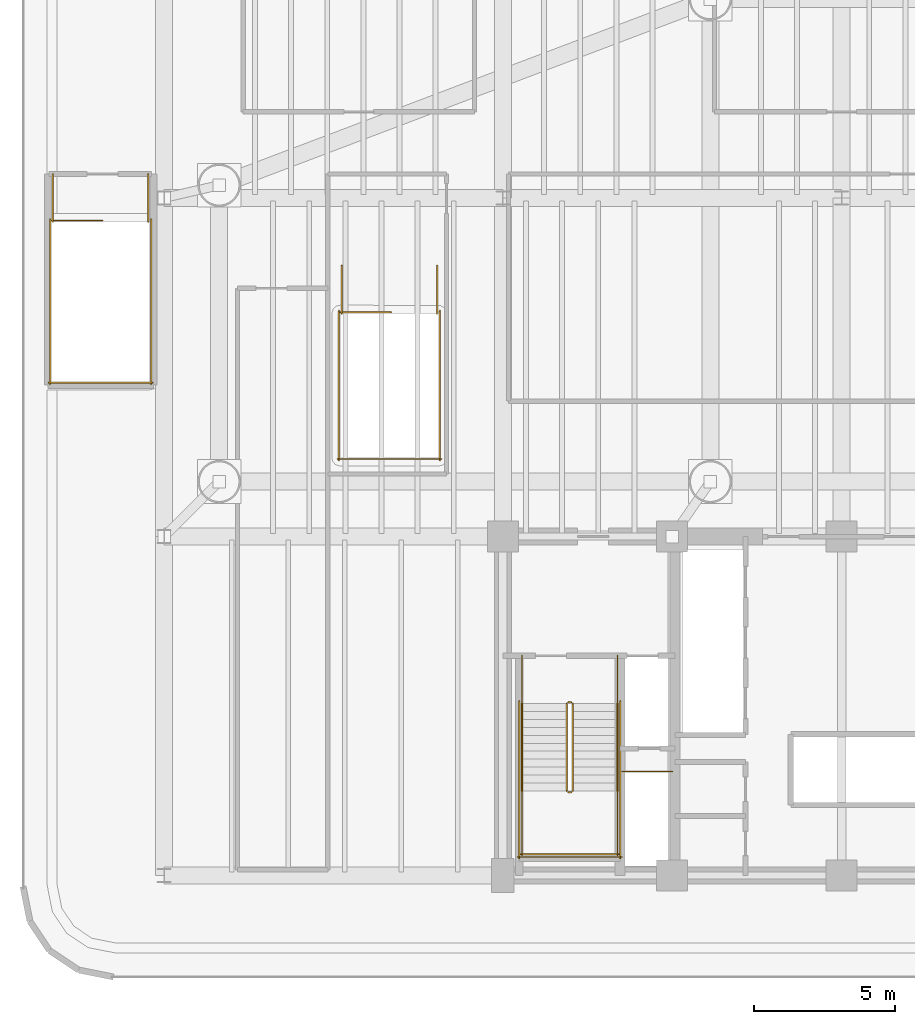
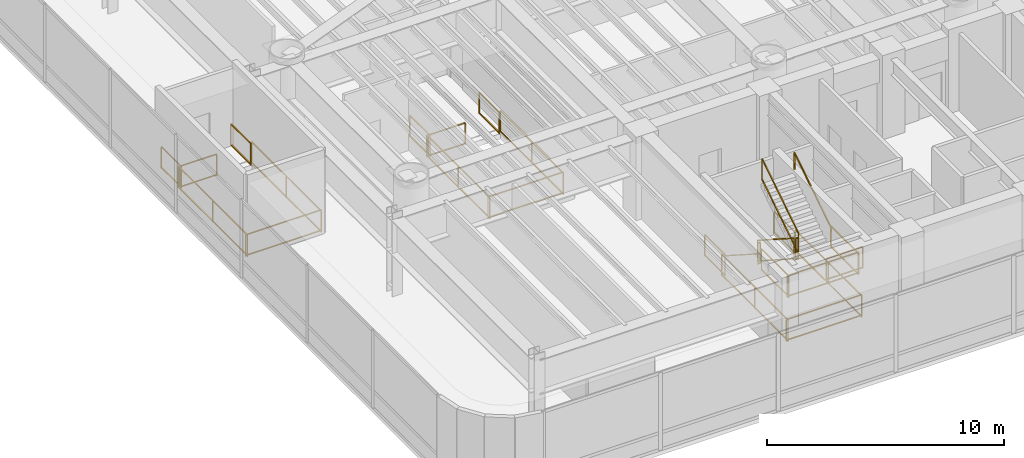
# One storey, part 16 of 18: 27 railings.
"""IFC4 building model written with IfcOpenShell, lengths in metres."""

from ifc_helpers import new_model, si_unit, direction, frame, origin, origin_2d, place, context, subcontext, project, spatial, rectangle, extrude, material, layer, layer_set, type_object, element, save


model = new_model("IFC4")

# Units and contexts
model_context = context("Model", 3, precision=1e-05, world=origin(), true_north=direction((0.0, 1.0)))
body_context = subcontext(model_context, "Body", "Model", "MODEL_VIEW")
ifc_project = project(units=[si_unit("LENGTHUNIT", "METRE"), si_unit("AREAUNIT", "SQUARE_METRE"), si_unit("VOLUMEUNIT", "CUBIC_METRE"), si_unit("PLANEANGLEUNIT", "RADIAN"), si_unit("MASSUNIT", "GRAM", prefix="KILO")], contexts=[model_context])

# Site, building, storey
site_placement = place(None, origin())
site = spatial("IfcSite", under=ifc_project, at=site_placement, CompositionType="ELEMENT")
building_placement = place(site_placement, origin())
building = spatial("IfcBuilding", under=site, at=building_placement, Name="Brelvock Crest Care Tower", CompositionType="ELEMENT")
storey_placement = place(building_placement, frame((0.0, 0.0, 22.679931640625)))
storey = spatial("IfcBuildingStorey", under=building, at=storey_placement, Name="L05", CompositionType="ELEMENT", Elevation=22.679931640625)

# Railings
ifc_material = material(Name="Steel Grade 350", Category="steel")
ifc_layer_1 = layer(ifc_material, 0.050048828125, Name="RL-STG1")
ifc_layer_set_1 = layer_set([ifc_layer_1], Name="Steel Grade 350")
railing_type_1 = type_object("IfcRailingType", Name="RL-STG1", PredefinedType="GUARDRAIL", material=ifc_layer_set_1)
railing_1_placement = place(storey_placement, frame((26.260009765625, 12.080078125, 0.18017578125)))
element("IfcRailing", 1, at=railing_1_placement, inside=storey, type_object=railing_type_1, Name="L05 ST-1 stair guard 1", PredefinedType="GUARDRAIL", context=body_context, shape_type="SweptSolid", body=[
    extrude(rectangle(XDim=0.048095703125, YDim=0.048095703125, at=origin_2d()), frame((0.0, -0.001708984375, 1.116943359375), z_axis=(0.0, -0.84118714077, 0.540744111576), x_axis=(1.0, 0.0, 0.0)), (0.0, 0.0, 1.0), 3.657470703125),
    extrude(rectangle(XDim=0.048095703125, YDim=0.048095703125, at=origin_2d()), frame((0.0, -0.001708984375, 0.05615234375), z_axis=(0.0, -0.84118714077, 0.540744111576), x_axis=(1.0, 0.0, 0.0)), (0.0, 0.0, 1.0), 3.657470703125),
    extrude(rectangle(XDim=0.0419921875, YDim=0.0419921875, at=origin_2d()), origin(), (0.0, 0.0, 1.0), 1.08984375),
    extrude(rectangle(XDim=0.0419921875, YDim=0.0419921875, at=origin_2d()), frame((0.0, -3.080078125, 1.97998046875)), (0.0, 0.0, 1.0), 1.08984375),
])
railing_2_placement = place(storey_placement, frame((26.31005859375, 8.949951171875, 2.16015625)))
element("IfcRailing", 2, at=railing_2_placement, inside=storey, type_object=railing_type_1, Name="L05 ST-1 stair guard 2", PredefinedType="GUARDRAIL", context=body_context, shape_type="SweptSolid", body=[
    extrude(rectangle(XDim=0.048095703125, YDim=0.048095703125, at=origin_2d()), frame((0.001953125, 0.0, 1.11572265625), z_axis=(1.0, 0.0, 0.0), x_axis=(0.0, 1.0, 0.0)), (0.0, 0.0, 1.0), 0.115966796875),
    extrude(rectangle(XDim=0.048095703125, YDim=0.048095703125, at=origin_2d()), frame((0.001953125, 0.0, 0.054931640625), z_axis=(1.0, 0.0, 0.0), x_axis=(0.0, 1.0, 0.0)), (0.0, 0.0, 1.0), 0.115966796875),
    extrude(rectangle(XDim=0.0419921875, YDim=0.0419921875, at=origin_2d()), origin(), (0.0, 0.0, 1.0), 1.08984375),
    extrude(rectangle(XDim=0.0419921875, YDim=0.0419921875, at=origin_2d()), frame((0.119873046875, 0.0, 0.0)), (0.0, 0.0, 1.0), 1.08984375),
])
for number, where, name in (
    (3, (24.679931640625, 9.0, 2.16015625), "L05 ST-1 stair guard 3"),
    (4, (28.06005859375, 9.0, 2.16015625), "L05 ST-1 stair guard 4"),
):
    element("IfcRailing", number, at=place(storey_placement, frame(where)), inside=storey, type_object=railing_type_1, Name=name, PredefinedType="GUARDRAIL", context=body_context, shape_type="SweptSolid", body=[
        extrude(rectangle(XDim=0.048095703125, YDim=0.048095703125, at=origin_2d()), frame((0.0, -0.001953125, 1.11572265625), z_axis=(0.0, -1.0, 0.0), x_axis=(1.0, 0.0, 0.0)), (0.0, 0.0, 1.0), 2.296142578125),
        extrude(rectangle(XDim=0.048095703125, YDim=0.048095703125, at=origin_2d()), frame((0.0, -0.001953125, 0.054931640625), z_axis=(0.0, -1.0, 0.0), x_axis=(1.0, 0.0, 0.0)), (0.0, 0.0, 1.0), 2.296142578125),
        extrude(rectangle(XDim=0.0419921875, YDim=0.0419921875, at=origin_2d()), origin(), (0.0, 0.0, 1.0), 1.08984375),
        extrude(rectangle(XDim=0.0419921875, YDim=0.0419921875, at=origin_2d()), frame((0.0, -2.300048828125, 0.0)), (0.0, 0.0, 1.0), 1.08984375),
    ])
railing_3_placement = place(storey_placement, frame((24.6298828125, 6.75, 2.16015625)))
element("IfcRailing", 5, at=railing_3_placement, inside=storey, type_object=railing_type_1, Name="L05 ST-1 stair guard 5", PredefinedType="GUARDRAIL", context=body_context, shape_type="SweptSolid", body=[
    extrude(rectangle(XDim=0.048095703125, YDim=0.048095703125, at=origin_2d()), frame((0.001953125, 0.0, 1.11572265625), z_axis=(1.0, 0.0, 0.0), x_axis=(0.0, 1.0, 0.0)), (0.0, 0.0, 1.0), 3.476318359375),
    extrude(rectangle(XDim=0.048095703125, YDim=0.048095703125, at=origin_2d()), frame((0.001953125, 0.0, 0.054931640625), z_axis=(1.0, 0.0, 0.0), x_axis=(0.0, 1.0, 0.0)), (0.0, 0.0, 1.0), 3.476318359375),
    extrude(rectangle(XDim=0.0419921875, YDim=0.0419921875, at=origin_2d()), origin(), (0.0, 0.0, 1.0), 1.08984375),
    extrude(rectangle(XDim=0.0419921875, YDim=0.0419921875, at=origin_2d()), frame((3.480224609375, 0.0, 0.0)), (0.0, 0.0, 1.0), 1.08984375),
])
railing_4_placement = place(storey_placement, frame((26.47998046875, 9.0, 2.340087890625)))
element("IfcRailing", 6, at=railing_4_placement, inside=storey, type_object=railing_type_1, Name="L05 ST-1 stair guard 6", PredefinedType="GUARDRAIL", context=body_context, shape_type="SweptSolid", body=[
    extrude(rectangle(XDim=0.048095703125, YDim=0.048095703125, at=origin_2d()), frame((0.0, 0.001708984375, 1.116943359375), z_axis=(0.0, 0.84118714077, 0.540744111576), x_axis=(-1.0, 0.0, 0.0)), (0.0, 0.0, 1.0), 3.657470703125),
    extrude(rectangle(XDim=0.048095703125, YDim=0.048095703125, at=origin_2d()), frame((0.0, 0.001708984375, 0.05615234375), z_axis=(0.0, 0.84118714077, 0.540744111576), x_axis=(-1.0, 0.0, 0.0)), (0.0, 0.0, 1.0), 3.657470703125),
    extrude(rectangle(XDim=0.0419921875, YDim=0.0419921875, at=origin_2d()), origin(), (0.0, 0.0, 1.0), 1.08984375),
    extrude(rectangle(XDim=0.0419921875, YDim=0.0419921875, at=origin_2d()), frame((0.0, 3.080078125, 1.97998046875)), (0.0, 0.0, 1.0), 1.08984375),
])
railing_5_placement = place(storey_placement, frame((26.31005859375, 12.1298828125, 0.0)))
element("IfcRailing", 7, at=railing_5_placement, inside=storey, type_object=railing_type_1, Name="L05 ST-1 stair guard 7", PredefinedType="GUARDRAIL", context=body_context, shape_type="SweptSolid", body=[
    extrude(rectangle(XDim=0.048095703125, YDim=0.048095703125, at=origin_2d()), frame((0.001953125, 0.0, 1.11572265625), z_axis=(1.0, 0.0, 0.0), x_axis=(0.0, 1.0, 0.0)), (0.0, 0.0, 1.0), 0.115966796875),
    extrude(rectangle(XDim=0.048095703125, YDim=0.048095703125, at=origin_2d()), frame((0.001953125, 0.0, 0.054931640625), z_axis=(1.0, 0.0, 0.0), x_axis=(0.0, 1.0, 0.0)), (0.0, 0.0, 1.0), 0.115966796875),
    extrude(rectangle(XDim=0.0419921875, YDim=0.0419921875, at=origin_2d()), origin(), (0.0, 0.0, 1.0), 1.08984375),
    extrude(rectangle(XDim=0.0419921875, YDim=0.0419921875, at=origin_2d()), frame((0.119873046875, 0.0, 0.0)), (0.0, 0.0, 1.0), 1.08984375),
])
for number, where, name in (
    (8, (24.679931640625, 13.780029296875, 0.0), "L05 ST-1 stair guard 8"),
    (9, (28.06005859375, 13.780029296875, 0.0), "L05 ST-1 stair guard 9"),
):
    element("IfcRailing", number, at=place(storey_placement, frame(where)), inside=storey, type_object=railing_type_1, Name=name, PredefinedType="GUARDRAIL", context=body_context, shape_type="SweptSolid", body=[
        extrude(rectangle(XDim=0.048095703125, YDim=0.048095703125, at=origin_2d()), frame((0.0, -0.001953125, 1.11572265625), z_axis=(0.0, -1.0, 0.0), x_axis=(1.0, 0.0, 0.0)), (0.0, 0.0, 1.0), 1.696044921875),
        extrude(rectangle(XDim=0.048095703125, YDim=0.048095703125, at=origin_2d()), frame((0.0, -0.001953125, 0.054931640625), z_axis=(0.0, -1.0, 0.0), x_axis=(1.0, 0.0, 0.0)), (0.0, 0.0, 1.0), 1.696044921875),
        extrude(rectangle(XDim=0.0419921875, YDim=0.0419921875, at=origin_2d()), origin(), (0.0, 0.0, 1.0), 1.08984375),
        extrude(rectangle(XDim=0.0419921875, YDim=0.0419921875, at=origin_2d()), frame((0.0, -1.699951171875, 0.0)), (0.0, 0.0, 1.0), 1.08984375),
    ])
for number, where, name in (
    (10, (24.580078125, 12.179931640625, 0.0), "L05 ST-1 stair guard 10"),
    (11, (28.159912109375, 12.179931640625, 0.0), "L05 ST-1 stair guard 11"),
):
    element("IfcRailing", number, at=place(storey_placement, frame(where)), inside=storey, type_object=railing_type_1, Name=name, PredefinedType="GUARDRAIL", context=body_context, shape_type="SweptSolid", body=[
        extrude(rectangle(XDim=0.048095703125, YDim=0.048095703125, at=origin_2d()), frame((0.0, -0.001953125, 1.11572265625), z_axis=(0.0, -1.0, 0.0), x_axis=(1.0, 0.0, 0.0)), (0.0, 0.0, 1.0), 5.575927734375),
        extrude(rectangle(XDim=0.048095703125, YDim=0.048095703125, at=origin_2d()), frame((0.0, -0.001953125, 0.054931640625), z_axis=(0.0, -1.0, 0.0), x_axis=(1.0, 0.0, 0.0)), (0.0, 0.0, 1.0), 5.575927734375),
        extrude(rectangle(XDim=0.0419921875, YDim=0.0419921875, at=origin_2d()), origin(), (0.0, 0.0, 1.0), 1.08984375),
        extrude(rectangle(XDim=0.0419921875, YDim=0.0419921875, at=origin_2d()), frame((0.0, -2.7900390625, 0.0)), (0.0, 0.0, 1.0), 1.08984375),
        extrude(rectangle(XDim=0.0419921875, YDim=0.0419921875, at=origin_2d()), frame((0.0, -5.579833984375, 0.0)), (0.0, 0.0, 1.0), 1.08984375),
    ])
railing_6_placement = place(storey_placement, frame((24.530029296875, 6.64990234375, 0.0)))
element("IfcRailing", 12, at=railing_6_placement, inside=storey, type_object=railing_type_1, Name="L05 ST-1 stair guard 12", PredefinedType="GUARDRAIL", context=body_context, shape_type="SweptSolid", body=[
    extrude(rectangle(XDim=0.048095703125, YDim=0.048095703125, at=origin_2d()), frame((0.001953125, 0.0, 1.11572265625), z_axis=(1.0, 0.0, 0.0), x_axis=(0.0, 1.0, 0.0)), (0.0, 0.0, 1.0), 3.676025390625),
    extrude(rectangle(XDim=0.048095703125, YDim=0.048095703125, at=origin_2d()), frame((0.001953125, 0.0, 0.054931640625), z_axis=(1.0, 0.0, 0.0), x_axis=(0.0, 1.0, 0.0)), (0.0, 0.0, 1.0), 3.676025390625),
    extrude(rectangle(XDim=0.0419921875, YDim=0.0419921875, at=origin_2d()), origin(), (0.0, 0.0, 1.0), 1.08984375),
    extrude(rectangle(XDim=0.0419921875, YDim=0.0419921875, at=origin_2d()), frame((3.679931640625, 0.0, 0.0)), (0.0, 0.0, 1.0), 1.08984375),
])
railing_7_placement = place(storey_placement, frame((8.010009765625, 29.199951171875, 0.0)))
element("IfcRailing", 13, at=railing_7_placement, inside=storey, type_object=railing_type_1, Name="L05 ST-3 top well guard 1", PredefinedType="GUARDRAIL", context=body_context, shape_type="SweptSolid", body=[
    extrude(rectangle(XDim=0.048095703125, YDim=0.048095703125, at=origin_2d()), frame((0.001953125, 0.0, 1.11572265625), z_axis=(1.0, 0.0, 0.0), x_axis=(0.0, 1.0, 0.0)), (0.0, 0.0, 1.0), 1.796142578125),
    extrude(rectangle(XDim=0.048095703125, YDim=0.048095703125, at=origin_2d()), frame((0.001953125, 0.0, 0.054931640625), z_axis=(1.0, 0.0, 0.0), x_axis=(0.0, 1.0, 0.0)), (0.0, 0.0, 1.0), 1.796142578125),
    extrude(rectangle(XDim=0.0419921875, YDim=0.0419921875, at=origin_2d()), origin(), (0.0, 0.0, 1.0), 1.08984375),
    extrude(rectangle(XDim=0.0419921875, YDim=0.0419921875, at=origin_2d()), frame((1.800048828125, 0.0, 0.0)), (0.0, 0.0, 1.0), 1.08984375),
])
for number, where, name in (
    (14, (7.9599609375, 29.25, 0.0), "L05 ST-3 top well guard 2"),
    (15, (11.5400390625, 29.25, 0.0), "L05 ST-3 top well guard 3"),
):
    element("IfcRailing", number, at=place(storey_placement, frame(where)), inside=storey, type_object=railing_type_1, Name=name, PredefinedType="GUARDRAIL", context=body_context, shape_type="SweptSolid", body=[
        extrude(rectangle(XDim=0.048095703125, YDim=0.048095703125, at=origin_2d()), frame((0.0, -0.001953125, 1.11572265625), z_axis=(0.0, -1.0, 0.0), x_axis=(1.0, 0.0, 0.0)), (0.0, 0.0, 1.0), 5.84619140625),
        extrude(rectangle(XDim=0.048095703125, YDim=0.048095703125, at=origin_2d()), frame((0.0, -0.001953125, 0.054931640625), z_axis=(0.0, -1.0, 0.0), x_axis=(1.0, 0.0, 0.0)), (0.0, 0.0, 1.0), 5.84619140625),
        extrude(rectangle(XDim=0.0419921875, YDim=0.0419921875, at=origin_2d()), origin(), (0.0, 0.0, 1.0), 1.08984375),
        extrude(rectangle(XDim=0.0419921875, YDim=0.0419921875, at=origin_2d()), frame((0.0, -2.925048828125, 0.0)), (0.0, 0.0, 1.0), 1.08984375),
        extrude(rectangle(XDim=0.0419921875, YDim=0.0419921875, at=origin_2d()), frame((0.0, -5.85009765625, 0.0)), (0.0, 0.0, 1.0), 1.08984375),
    ])
railing_8_placement = place(storey_placement, frame((7.909912109375, 23.449951171875, 0.0)))
element("IfcRailing", 16, at=railing_8_placement, inside=storey, type_object=railing_type_1, Name="L05 ST-3 top well guard 4", PredefinedType="GUARDRAIL", context=body_context, shape_type="SweptSolid", body=[
    extrude(rectangle(XDim=0.048095703125, YDim=0.048095703125, at=origin_2d()), frame((0.001953125, 0.0, 1.11572265625), z_axis=(1.0, 0.0, 0.0), x_axis=(0.0, 1.0, 0.0)), (0.0, 0.0, 1.0), 3.67626953125),
    extrude(rectangle(XDim=0.048095703125, YDim=0.048095703125, at=origin_2d()), frame((0.001953125, 0.0, 0.054931640625), z_axis=(1.0, 0.0, 0.0), x_axis=(0.0, 1.0, 0.0)), (0.0, 0.0, 1.0), 3.67626953125),
    extrude(rectangle(XDim=0.0419921875, YDim=0.0419921875, at=origin_2d()), origin(), (0.0, 0.0, 1.0), 1.08984375),
    extrude(rectangle(XDim=0.0419921875, YDim=0.0419921875, at=origin_2d()), frame((3.68017578125, 0.0, 0.0)), (0.0, 0.0, 1.0), 1.08984375),
])
for number, where, name in (
    (17, (8.06005859375, 30.85009765625, 0.0), "L05 ST-3 top well guard 5"),
    (18, (11.43994140625, 30.85009765625, 0.0), "L05 ST-3 top well guard 6"),
):
    element("IfcRailing", number, at=place(storey_placement, frame(where)), inside=storey, type_object=railing_type_1, Name=name, PredefinedType="GUARDRAIL", context=body_context, shape_type="SweptSolid", body=[
        extrude(rectangle(XDim=0.048095703125, YDim=0.048095703125, at=origin_2d()), frame((0.0, -0.001953125, 1.11572265625), z_axis=(0.0, -1.0, 0.0), x_axis=(1.0, 0.0, 0.0)), (0.0, 0.0, 1.0), 1.6962890625),
        extrude(rectangle(XDim=0.048095703125, YDim=0.048095703125, at=origin_2d()), frame((0.0, -0.001953125, 0.054931640625), z_axis=(0.0, -1.0, 0.0), x_axis=(1.0, 0.0, 0.0)), (0.0, 0.0, 1.0), 1.6962890625),
        extrude(rectangle(XDim=0.0419921875, YDim=0.0419921875, at=origin_2d()), origin(), (0.0, 0.0, 1.0), 1.08984375),
        extrude(rectangle(XDim=0.0419921875, YDim=0.0419921875, at=origin_2d()), frame((0.0, -1.7001953125, 0.0)), (0.0, 0.0, 1.0), 1.08984375),
    ])
railing_9_placement = place(storey_placement, frame((18.239990234375, 25.949951171875, 0.0)))
element("IfcRailing", 19, at=railing_9_placement, inside=storey, type_object=railing_type_1, Name="L05 ST-5 top well guard 1", PredefinedType="GUARDRAIL", context=body_context, shape_type="SweptSolid", body=[
    extrude(rectangle(XDim=0.048095703125, YDim=0.048095703125, at=origin_2d()), frame((0.001953125, 0.0, 1.11572265625), z_axis=(1.0, 0.0, 0.0), x_axis=(0.0, 1.0, 0.0)), (0.0, 0.0, 1.0), 1.796142578125),
    extrude(rectangle(XDim=0.048095703125, YDim=0.048095703125, at=origin_2d()), frame((0.001953125, 0.0, 0.054931640625), z_axis=(1.0, 0.0, 0.0), x_axis=(0.0, 1.0, 0.0)), (0.0, 0.0, 1.0), 1.796142578125),
    extrude(rectangle(XDim=0.0419921875, YDim=0.0419921875, at=origin_2d()), origin(), (0.0, 0.0, 1.0), 1.08984375),
    extrude(rectangle(XDim=0.0419921875, YDim=0.0419921875, at=origin_2d()), frame((1.800048828125, 0.0, 0.0)), (0.0, 0.0, 1.0), 1.08984375),
])
for number, where, name in (
    (20, (18.18994140625, 26.0, 0.0), "L05 ST-5 top well guard 2"),
    (21, (21.77001953125, 26.0, 0.0), "L05 ST-5 top well guard 3"),
):
    element("IfcRailing", number, at=place(storey_placement, frame(where)), inside=storey, type_object=railing_type_1, Name=name, PredefinedType="GUARDRAIL", context=body_context, shape_type="SweptSolid", body=[
        extrude(rectangle(XDim=0.048095703125, YDim=0.048095703125, at=origin_2d()), frame((0.0, -0.001953125, 1.11572265625), z_axis=(0.0, -1.0, 0.0), x_axis=(1.0, 0.0, 0.0)), (0.0, 0.0, 1.0), 5.296142578125),
        extrude(rectangle(XDim=0.048095703125, YDim=0.048095703125, at=origin_2d()), frame((0.0, -0.001953125, 0.054931640625), z_axis=(0.0, -1.0, 0.0), x_axis=(1.0, 0.0, 0.0)), (0.0, 0.0, 1.0), 5.296142578125),
        extrude(rectangle(XDim=0.0419921875, YDim=0.0419921875, at=origin_2d()), origin(), (0.0, 0.0, 1.0), 1.08984375),
        extrude(rectangle(XDim=0.0419921875, YDim=0.0419921875, at=origin_2d()), frame((0.0, -2.64990234375, 0.0)), (0.0, 0.0, 1.0), 1.08984375),
        extrude(rectangle(XDim=0.0419921875, YDim=0.0419921875, at=origin_2d()), frame((0.0, -5.300048828125, 0.0)), (0.0, 0.0, 1.0), 1.08984375),
    ])
railing_10_placement = place(storey_placement, frame((18.139892578125, 20.75, 0.0)))
element("IfcRailing", 22, at=railing_10_placement, inside=storey, type_object=railing_type_1, Name="L05 ST-5 top well guard 4", PredefinedType="GUARDRAIL", context=body_context, shape_type="SweptSolid", body=[
    extrude(rectangle(XDim=0.048095703125, YDim=0.048095703125, at=origin_2d()), frame((0.001953125, 0.0, 1.11572265625), z_axis=(1.0, 0.0, 0.0), x_axis=(0.0, 1.0, 0.0)), (0.0, 0.0, 1.0), 3.67626953125),
    extrude(rectangle(XDim=0.048095703125, YDim=0.048095703125, at=origin_2d()), frame((0.001953125, 0.0, 0.054931640625), z_axis=(1.0, 0.0, 0.0), x_axis=(0.0, 1.0, 0.0)), (0.0, 0.0, 1.0), 3.67626953125),
    extrude(rectangle(XDim=0.0419921875, YDim=0.0419921875, at=origin_2d()), origin(), (0.0, 0.0, 1.0), 1.08984375),
    extrude(rectangle(XDim=0.0419921875, YDim=0.0419921875, at=origin_2d()), frame((3.68017578125, 0.0, 0.0)), (0.0, 0.0, 1.0), 1.08984375),
])
for number, where, name in (
    (23, (18.2900390625, 27.60009765625, 0.0), "L05 ST-5 top well guard 5"),
    (24, (21.669921875, 27.60009765625, 0.0), "L05 ST-5 top well guard 6"),
):
    element("IfcRailing", number, at=place(storey_placement, frame(where)), inside=storey, type_object=railing_type_1, Name=name, PredefinedType="GUARDRAIL", context=body_context, shape_type="SweptSolid", body=[
        extrude(rectangle(XDim=0.048095703125, YDim=0.048095703125, at=origin_2d()), frame((0.0, -0.001953125, 1.11572265625), z_axis=(0.0, -1.0, 0.0), x_axis=(1.0, 0.0, 0.0)), (0.0, 0.0, 1.0), 1.6962890625),
        extrude(rectangle(XDim=0.048095703125, YDim=0.048095703125, at=origin_2d()), frame((0.0, -0.001953125, 0.054931640625), z_axis=(0.0, -1.0, 0.0), x_axis=(1.0, 0.0, 0.0)), (0.0, 0.0, 1.0), 1.6962890625),
        extrude(rectangle(XDim=0.0419921875, YDim=0.0419921875, at=origin_2d()), origin(), (0.0, 0.0, 1.0), 1.08984375),
        extrude(rectangle(XDim=0.0419921875, YDim=0.0419921875, at=origin_2d()), frame((0.0, -1.7001953125, 0.0)), (0.0, 0.0, 1.0), 1.08984375),
    ])
railing_11_placement = place(storey_placement, frame((28.219970703125, 9.679931640625, 0.0)))
element("IfcRailing", 25, at=railing_11_placement, inside=storey, type_object=railing_type_1, Name="L05 Fire Riser Threshold Guard", PredefinedType="GUARDRAIL", context=body_context, shape_type="SweptSolid", body=[
    extrude(rectangle(XDim=0.048095703125, YDim=0.048095703125, at=origin_2d()), frame((0.001953125, 0.0, 1.11572265625), z_axis=(1.0, 0.0, 0.0), x_axis=(0.0, 1.0, 0.0)), (0.0, 0.0, 1.0), 1.776123046875),
    extrude(rectangle(XDim=0.048095703125, YDim=0.048095703125, at=origin_2d()), frame((0.001953125, 0.0, 0.054931640625), z_axis=(1.0, 0.0, 0.0), x_axis=(0.0, 1.0, 0.0)), (0.0, 0.0, 1.0), 1.776123046875),
    extrude(rectangle(XDim=0.0419921875, YDim=0.0419921875, at=origin_2d()), origin(), (0.0, 0.0, 1.0), 1.08984375),
    extrude(rectangle(XDim=0.0419921875, YDim=0.0419921875, at=origin_2d()), frame((1.780029296875, 0.0, 0.0)), (0.0, 0.0, 1.0), 1.08984375),
])
ifc_layer_2 = layer(ifc_material, 0.048095703125, Name="RL-STH1")
ifc_layer_set_2 = layer_set([ifc_layer_2], Name="Steel Grade 350")
railing_type_2 = type_object("IfcRailingType", Name="RL-STH1", PredefinedType="HANDRAIL", material=ifc_layer_set_2)
railing_12_placement = place(storey_placement, frame((24.679931640625, 12.080078125, 0.18017578125)))
element("IfcRailing", 26, at=railing_12_placement, inside=storey, type_object=railing_type_2, Name="L05 ST-1 stair handrail 1", PredefinedType="HANDRAIL", context=body_context, shape_type="SweptSolid", body=[
    extrude(rectangle(XDim=0.048095703125, YDim=0.048095703125, at=origin_2d()), frame((0.0, -0.001708984375, 0.876953125), z_axis=(0.0, -0.84118714077, 0.540744111576), x_axis=(1.0, 0.0, 0.0)), (0.0, 0.0, 1.0), 3.657470703125),
    extrude(rectangle(XDim=0.0419921875, YDim=0.0419921875, at=origin_2d()), origin(), (0.0, 0.0, 1.0), 0.849853515625),
    extrude(rectangle(XDim=0.0419921875, YDim=0.0419921875, at=origin_2d()), frame((0.0, -3.080078125, 1.97998046875)), (0.0, 0.0, 1.0), 0.849853515625),
])
railing_13_placement = place(storey_placement, frame((28.06005859375, 9.0, 2.340087890625)))
element("IfcRailing", 27, at=railing_13_placement, inside=storey, type_object=railing_type_2, Name="L05 ST-1 stair handrail 2", PredefinedType="HANDRAIL", context=body_context, shape_type="SweptSolid", body=[
    extrude(rectangle(XDim=0.048095703125, YDim=0.048095703125, at=origin_2d()), frame((0.0, 0.001708984375, 0.876953125), z_axis=(0.0, 0.84118714077, 0.540744111576), x_axis=(-1.0, 0.0, 0.0)), (0.0, 0.0, 1.0), 3.657470703125),
    extrude(rectangle(XDim=0.0419921875, YDim=0.0419921875, at=origin_2d()), origin(), (0.0, 0.0, 1.0), 0.849853515625),
    extrude(rectangle(XDim=0.0419921875, YDim=0.0419921875, at=origin_2d()), frame((0.0, 3.080078125, 1.97998046875)), (0.0, 0.0, 1.0), 0.849853515625),
])

save(model, "model.ifc")
